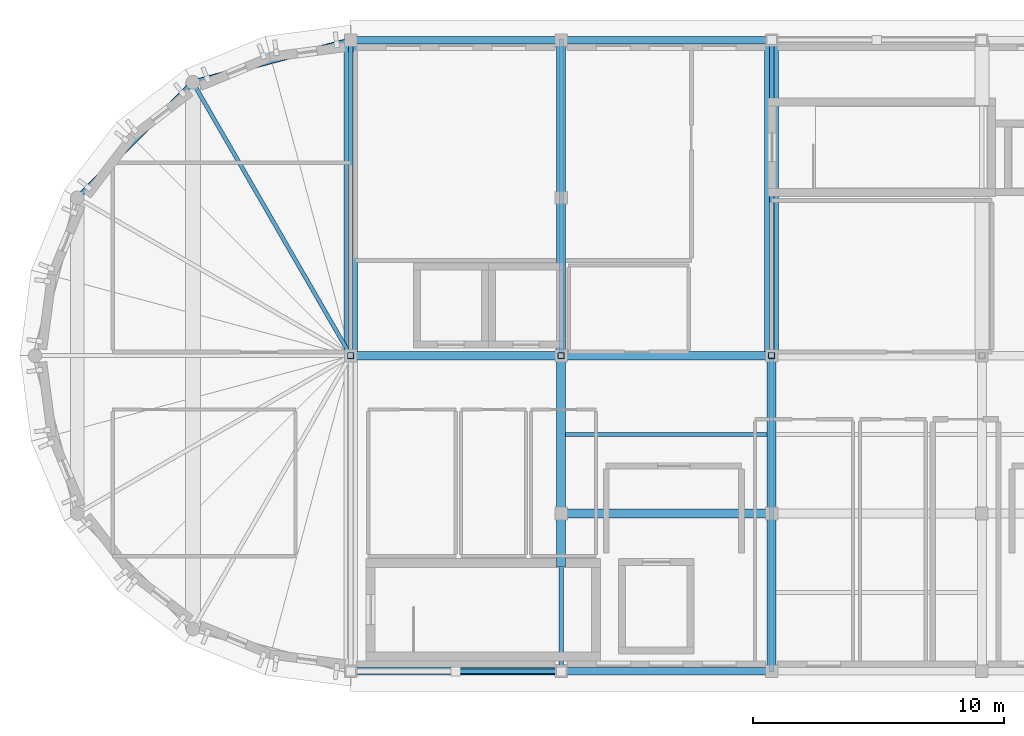
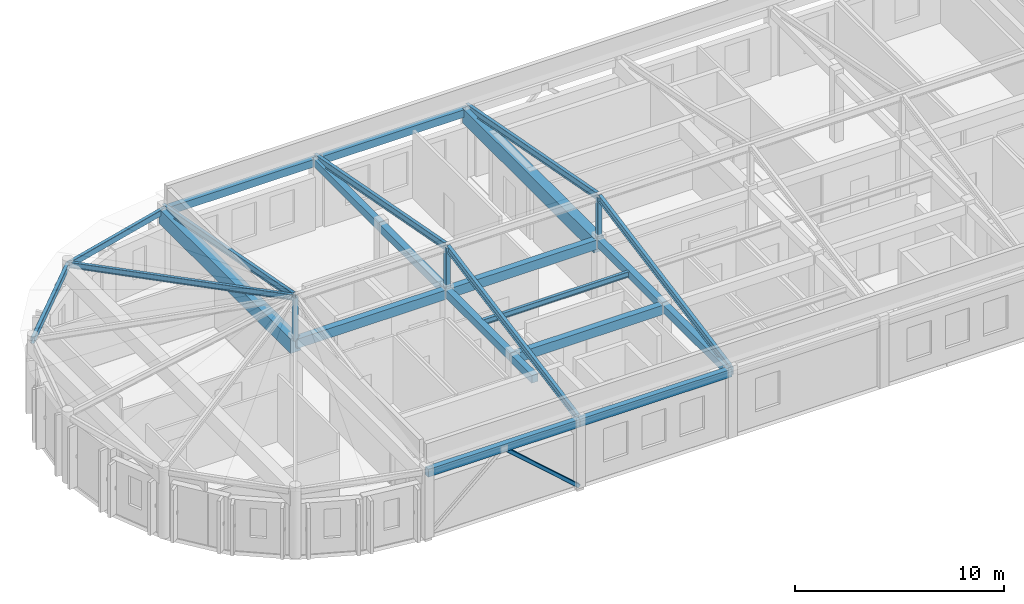
# One storey, part 2 of 11: 24 beams, 4 members.
"""IFC4 building model written with IfcOpenShell, lengths in metres."""

from ifc_helpers import new_model, si_unit, direction, frame, origin, origin_2d, place, context, subcontext, project, spatial, rectangle, hollow_rectangle, i_section, extrude, material, material_profile, profile_set, type_object, element, save


model = new_model("IFC4")

# Units and contexts
model_context = context("Model", 3, precision=1e-05, world=origin(), true_north=direction((0.0, 1.0)))
body_context = subcontext(model_context, "Body", "Model", "MODEL_VIEW")
ifc_project = project(units=[si_unit("LENGTHUNIT", "METRE"), si_unit("AREAUNIT", "SQUARE_METRE"), si_unit("VOLUMEUNIT", "CUBIC_METRE"), si_unit("PLANEANGLEUNIT", "RADIAN"), si_unit("MASSUNIT", "GRAM", prefix="KILO")], contexts=[model_context])

# Site, building, storey
site_placement = place(None, origin())
site = spatial("IfcSite", under=ifc_project, at=site_placement, CompositionType="ELEMENT")
building_placement = place(site_placement, origin())
building = spatial("IfcBuilding", under=site, at=building_placement, Name="Tarnavel Promenade Courthouse", CompositionType="ELEMENT")
storey_placement = place(building_placement, frame((0.0, 0.0, 35.39990234375)))
storey = spatial("IfcBuildingStorey", under=building, at=storey_placement, Name="L09", CompositionType="ELEMENT", Elevation=35.39990234375)

# Beams
ifc_material_1 = material(Name="Concrete C40/50", Category="concrete")
ifc_material_profile_1 = material_profile(ifc_material_1, rectangle(XDim=0.550048828125, YDim=0.85009765625, at=origin_2d()), Name="PT 550x850")
ifc_profile_set_1 = profile_set([ifc_material_profile_1], Name="Concrete C40/50")
beam_type_1 = type_object("IfcBeamType", Name="Concrete C40/50 BM-PT-550x850 (PT 550x850)", PredefinedType="T_BEAM", material=ifc_profile_set_1)
for number, where, z_axis, x_axis, name in (
    (1, (58.800048828125, 91.800048828125, 3.53515625), (0.0, 1.0, 0.0), (-1.0, 0.0, 0.0), "L09 Transverse Girder 2659"),
    (2, (75.60009765625, 91.800048828125, 3.53515625), (0.0, 1.0, 0.0), (-1.0, 0.0, 0.0), "L09 Transverse Girder 2666"),
):
    element("IfcBeam", number, at=place(storey_placement, frame(where, z_axis=z_axis, x_axis=x_axis)), inside=storey, type_object=beam_type_1, Name=name, PredefinedType="T_BEAM", context=body_context, shape_type="SweptSolid", body=[
        extrude(rectangle(XDim=0.550048828125, YDim=0.85009765625, at=origin_2d()), origin(), (0.0, 0.0, 1.0), 12.599853515625),
    ])
ifc_material_profile_2 = material_profile(ifc_material_1, rectangle(XDim=0.35009765625, YDim=0.449951171875, at=origin_2d()), Name="RC 350x450")
ifc_profile_set_2 = profile_set([ifc_material_profile_2], Name="Concrete C40/50")
beam_type_2 = type_object("IfcBeamType", Name="Concrete C40/50 BM-RC-350x450 (RC 350x450)", PredefinedType="BEAM", material=ifc_profile_set_2)
beam_1_placement = place(storey_placement, frame((67.199951171875, 83.3701171875, 3.735107421875), z_axis=(0.0, 1.0, 0.0), x_axis=(-1.0, 0.0, 0.0)))
element("IfcBeam", 3, at=beam_1_placement, inside=storey, type_object=beam_type_2, Name="L09 Transverse Girder 2660", PredefinedType="BEAM", context=body_context, shape_type="SweptSolid", body=[
    extrude(rectangle(XDim=0.35009765625, YDim=0.449951171875, at=origin_2d()), origin(), (0.0, 0.0, 1.0), 2.1298828125),
])
for number, where, z_axis, x_axis, name in (
    (4, (67.199951171875, 85.5, 3.735107421875), (0.0, 1.0, 0.0), (-1.0, 0.0, 0.0), "L09 Transverse Girder 2661"),
    (5, (67.199951171875, 91.800048828125, 3.735107421875), (0.0, 1.0, 0.0), (-1.0, 0.0, 0.0), "L09 Transverse Girder 2662"),
):
    element("IfcBeam", number, at=place(storey_placement, frame(where, z_axis=z_axis, x_axis=x_axis)), inside=storey, type_object=beam_type_2, Name=name, PredefinedType="BEAM", context=body_context, shape_type="SweptSolid", body=[
        extrude(rectangle(XDim=0.35009765625, YDim=0.449951171875, at=origin_2d()), origin(), (0.0, 0.0, 1.0), 6.300048828125),
    ])
beam_2_placement = place(storey_placement, frame((67.199951171875, 98.10009765625, 3.735107421875), z_axis=(0.0, 1.0, 0.0), x_axis=(-1.0, 0.0, 0.0)))
element("IfcBeam", 6, at=beam_2_placement, inside=storey, type_object=beam_type_2, Name="L09 Transverse Girder 2663", PredefinedType="BEAM", context=body_context, shape_type="SweptSolid", body=[
    extrude(rectangle(XDim=0.35009765625, YDim=0.449951171875, at=origin_2d()), origin(), (0.0, 0.0, 1.0), 6.2998046875),
])
for number, where, z_axis, x_axis, name in (
    (7, (75.60009765625, 79.199951171875, 3.735107421875), (0.0, 1.0, 0.0), (-1.0, 0.0, 0.0), "L09 Transverse Girder 2664"),
    (8, (75.60009765625, 85.5, 3.735107421875), (0.0, 1.0, 0.0), (-1.0, 0.0, 0.0), "L09 Transverse Girder 2665"),
):
    element("IfcBeam", number, at=place(storey_placement, frame(where, z_axis=z_axis, x_axis=x_axis)), inside=storey, type_object=beam_type_2, Name=name, PredefinedType="BEAM", context=body_context, shape_type="SweptSolid", body=[
        extrude(rectangle(XDim=0.35009765625, YDim=0.449951171875, at=origin_2d()), origin(), (0.0, 0.0, 1.0), 6.300048828125),
    ])
ifc_material_profile_3 = material_profile(ifc_material_1, rectangle(XDim=0.35009765625, YDim=0.550048828125, at=origin_2d()), Name="RC 350x550")
ifc_profile_set_3 = profile_set([ifc_material_profile_3], Name="Concrete C40/50")
beam_type_3 = type_object("IfcBeamType", Name="Concrete C40/50 BM-RC-350x550 (RC 350x550)", PredefinedType="BEAM", material=ifc_profile_set_3)
beam_3_placement = place(storey_placement, frame((67.199951171875, 85.5, 3.68505859375), z_axis=(1.0, 0.0, 0.0), x_axis=(0.0, 1.0, 0.0)))
element("IfcBeam", 9, at=beam_3_placement, inside=storey, type_object=beam_type_3, Name="L09 Primary Longitudinal Beam 2642", PredefinedType="BEAM", context=body_context, shape_type="SweptSolid", body=[
    extrude(rectangle(XDim=0.35009765625, YDim=0.550048828125, at=origin_2d()), origin(), (0.0, 0.0, 1.0), 8.400146484375),
])
beam_4_placement = place(storey_placement, frame((58.800048828125, 91.800048828125, 3.68505859375), z_axis=(1.0, 0.0, 0.0), x_axis=(0.0, 1.0, 0.0)))
element("IfcBeam", 10, at=beam_4_placement, inside=storey, type_object=beam_type_3, Name="L09 Primary Longitudinal Beam 2645", PredefinedType="BEAM", context=body_context, shape_type="SweptSolid", body=[
    extrude(rectangle(XDim=0.35009765625, YDim=0.550048828125, at=origin_2d()), origin(), (0.0, 0.0, 1.0), 8.39990234375),
])
beam_5_placement = place(storey_placement, frame((67.199951171875, 91.800048828125, 3.68505859375), z_axis=(1.0, 0.0, 0.0), x_axis=(0.0, 1.0, 0.0)))
element("IfcBeam", 11, at=beam_5_placement, inside=storey, type_object=beam_type_3, Name="L09 Primary Longitudinal Beam 2646", PredefinedType="BEAM", context=body_context, shape_type="SweptSolid", body=[
    extrude(rectangle(XDim=0.35009765625, YDim=0.550048828125, at=origin_2d()), origin(), (0.0, 0.0, 1.0), 8.400146484375),
])
ifc_material_profile_4 = material_profile(ifc_material_1, rectangle(XDim=0.300048828125, YDim=0.449951171875, at=origin_2d()), Name="RC 300x450")
ifc_profile_set_4 = profile_set([ifc_material_profile_4], Name="Concrete C40/50")
beam_type_4 = type_object("IfcBeamType", Name="Concrete C40/50 BM-SP-300x450 (RC 300x450)", PredefinedType="SPANDREL", material=ifc_profile_set_4)
beam_6_placement = place(storey_placement, frame((58.800048828125, 79.199951171875, 3.735107421875), z_axis=(1.0, 0.0, 0.0), x_axis=(0.0, 1.0, 0.0)))
element("IfcBeam", 12, at=beam_6_placement, inside=storey, type_object=beam_type_4, Name="L09 Primary Longitudinal Beam 2637", PredefinedType="SPANDREL", context=body_context, shape_type="SweptSolid", body=[
    extrude(rectangle(XDim=0.300048828125, YDim=0.449951171875, at=origin_2d()), origin(), (0.0, 0.0, 1.0), 8.39990234375),
])
beam_7_placement = place(storey_placement, frame((67.199951171875, 79.199951171875, 3.735107421875), z_axis=(1.0, 0.0, 0.0), x_axis=(0.0, 1.0, 0.0)))
element("IfcBeam", 13, at=beam_7_placement, inside=storey, type_object=beam_type_4, Name="L09 Primary Longitudinal Beam 2638", PredefinedType="SPANDREL", context=body_context, shape_type="SweptSolid", body=[
    extrude(rectangle(XDim=0.300048828125, YDim=0.449951171875, at=origin_2d()), origin(), (0.0, 0.0, 1.0), 8.400146484375),
])
beam_8_placement = place(storey_placement, frame((58.800048828125, 104.39990234375, 3.735107421875), z_axis=(1.0, 0.0, 0.0), x_axis=(0.0, 1.0, 0.0)))
element("IfcBeam", 14, at=beam_8_placement, inside=storey, type_object=beam_type_4, Name="L09 Primary Longitudinal Beam 2651", PredefinedType="SPANDREL", context=body_context, shape_type="SweptSolid", body=[
    extrude(rectangle(XDim=0.300048828125, YDim=0.449951171875, at=origin_2d()), origin(), (0.0, 0.0, 1.0), 8.39990234375),
])
beam_9_placement = place(storey_placement, frame((67.199951171875, 104.39990234375, 3.735107421875), z_axis=(1.0, 0.0, 0.0), x_axis=(0.0, 1.0, 0.0)))
element("IfcBeam", 15, at=beam_9_placement, inside=storey, type_object=beam_type_4, Name="L09 Primary Longitudinal Beam 2652", PredefinedType="SPANDREL", context=body_context, shape_type="SweptSolid", body=[
    extrude(rectangle(XDim=0.300048828125, YDim=0.449951171875, at=origin_2d()), origin(), (0.0, 0.0, 1.0), 8.400146484375),
])
ifc_material_2 = material(Name="Steel S355J2", Category="steel")
ifc_material_profile_5 = material_profile(ifc_material_2, i_section(OverallWidth=0.159912109375, OverallDepth=0.330078125, WebThickness=0.007568359375, FlangeThickness=0.011474609375, FilletRadius=0.01806640625, at=origin_2d()), Name="IPE 330")
ifc_profile_set_5 = profile_set([ifc_material_profile_5], Name="Steel S355J2")
beam_type_5 = type_object("IfcBeamType", Name="Steel S355J2 BM-ST-IPE330 (IPE 330)", PredefinedType="JOIST", material=ifc_profile_set_5)
beam_10_placement = place(storey_placement, frame((67.344970703125, 88.64990234375, 3.795166015625), z_axis=(1.0, 0.0, 0.0), x_axis=(0.0, 1.0, 0.0)))
element("IfcBeam", 16, at=beam_10_placement, inside=storey, type_object=beam_type_5, Name="L09 Secondary Floor Rib 2679", PredefinedType="JOIST", context=body_context, shape_type="SweptSolid", body=[
    extrude(i_section(OverallWidth=0.159912109375, OverallDepth=0.330078125, WebThickness=0.007568359375, FlangeThickness=0.011474609375, FilletRadius=0.01806640625, at=origin_2d()), origin(), (0.0, 0.0, 1.0), 8.110107421875),
])
beam_11_placement = place(storey_placement, frame((52.5, 102.7119140625, 3.85009765625), z_axis=(0.490666083691, -0.849847727594, 0.192368485514), x_axis=(0.866022637375, 0.500004791531, 0.0)))
element("IfcBeam", 17, at=beam_11_placement, inside=storey, type_object=beam_type_5, Name="L09 W Drum Radial Roof Rafter 03", PredefinedType="JOIST", context=body_context, shape_type="SweptSolid", body=[
    extrude(i_section(OverallWidth=0.159912109375, OverallDepth=0.330078125, WebThickness=0.007568359375, FlangeThickness=0.011474609375, FilletRadius=0.01806640625, at=origin_2d()), origin(), (0.0, 0.0, 1.0), 12.83984375),
])
ifc_material_profile_6 = material_profile(ifc_material_2, i_section(OverallWidth=0.179931640625, OverallDepth=0.39990234375, WebThickness=0.008544921875, FlangeThickness=0.013427734375, FilletRadius=0.02099609375, at=origin_2d()), Name="IPE 400")
ifc_profile_set_6 = profile_set([ifc_material_profile_6], Name="Steel S355J2")
beam_type_6 = type_object("IfcBeamType", Name="Steel S355J2 BM-ST-IPE400 (IPE 400)", PredefinedType="BEAM", material=ifc_profile_set_6)
beam_12_placement = place(storey_placement, frame((58.800048828125, 91.89501953125, 6.320068359375), z_axis=(0.0, 0.982511581608, -0.186201482286), x_axis=(-1.0, 0.0, 0.0)))
element("IfcBeam", 18, at=beam_12_placement, inside=storey, type_object=beam_type_6, Name="L09 Bar Roof Rafter N", PredefinedType="BEAM", context=body_context, shape_type="SweptSolid", body=[
    extrude(i_section(OverallWidth=0.179931640625, OverallDepth=0.39990234375, WebThickness=0.008544921875, FlangeThickness=0.013427734375, FilletRadius=0.02099609375, at=origin_2d()), origin(), (0.0, 0.0, 1.0), 12.7275390625),
])
beam_13_placement = place(storey_placement, frame((67.199951171875, 79.199951171875, 3.9501953125), z_axis=(0.0, 0.982512246655, 0.186197973063), x_axis=(-1.0, 0.0, 0.0)))
element("IfcBeam", 19, at=beam_13_placement, inside=storey, type_object=beam_type_6, Name="L09 Bar Roof Rafter S", PredefinedType="BEAM", context=body_context, shape_type="SweptSolid", body=[
    extrude(i_section(OverallWidth=0.179931640625, OverallDepth=0.39990234375, WebThickness=0.008544921875, FlangeThickness=0.013427734375, FilletRadius=0.02099609375, at=origin_2d()), origin(), (0.0, 0.0, 1.0), 12.727783203125),
])
beam_14_placement = place(storey_placement, frame((67.199951171875, 91.89501953125, 6.320068359375), z_axis=(0.0, 0.982511581608, -0.186201482286), x_axis=(-1.0, 0.0, 0.0)))
element("IfcBeam", 20, at=beam_14_placement, inside=storey, type_object=beam_type_6, Name="L09 Bar Roof Rafter N", PredefinedType="BEAM", context=body_context, shape_type="SweptSolid", body=[
    extrude(i_section(OverallWidth=0.179931640625, OverallDepth=0.39990234375, WebThickness=0.008544921875, FlangeThickness=0.013427734375, FilletRadius=0.02099609375, at=origin_2d()), origin(), (0.0, 0.0, 1.0), 12.7275390625),
])
beam_15_placement = place(storey_placement, frame((75.60009765625, 79.199951171875, 3.9501953125), z_axis=(0.0, 0.982512246655, 0.186197973063), x_axis=(-1.0, 0.0, 0.0)))
element("IfcBeam", 21, at=beam_15_placement, inside=storey, type_object=beam_type_6, Name="L09 Bar Roof Rafter S", PredefinedType="BEAM", context=body_context, shape_type="SweptSolid", body=[
    extrude(i_section(OverallWidth=0.179931640625, OverallDepth=0.39990234375, WebThickness=0.008544921875, FlangeThickness=0.013427734375, FilletRadius=0.02099609375, at=origin_2d()), origin(), (0.0, 0.0, 1.0), 12.727783203125),
])
beam_16_placement = place(storey_placement, frame((75.60009765625, 91.89501953125, 6.320068359375), z_axis=(0.0, 0.982511581608, -0.186201482286), x_axis=(-1.0, 0.0, 0.0)))
element("IfcBeam", 22, at=beam_16_placement, inside=storey, type_object=beam_type_6, Name="L09 Bar Roof Rafter N", PredefinedType="BEAM", context=body_context, shape_type="SweptSolid", body=[
    extrude(i_section(OverallWidth=0.179931640625, OverallDepth=0.39990234375, WebThickness=0.008544921875, FlangeThickness=0.013427734375, FilletRadius=0.02099609375, at=origin_2d()), origin(), (0.0, 0.0, 1.0), 12.7275390625),
])
ifc_material_profile_7 = material_profile(ifc_material_2, hollow_rectangle(XDim=0.199951171875, YDim=0.35009765625, WallThickness=0.012451171875, InnerFilletRadius=0.012451171875, OuterFilletRadius=0.02490234375, at=origin_2d()), Name="RHS 350x200x12.5")
ifc_profile_set_7 = profile_set([ifc_material_profile_7], Name="Steel S355J2")
beam_type_7 = type_object("IfcBeamType", Name="Steel S355J2 BM-ST-RHS350 (RHS 350x200x12.5)", PredefinedType="SPANDREL", material=ifc_profile_set_7)
beam_17_placement = place(storey_placement, frame((58.800048828125, 104.39990234375, 3.78515625), z_axis=(-0.965929839907, -0.258804065612, 0.0), x_axis=(0.258804065612, -0.965929839907, 0.0)))
element("IfcBeam", 23, at=beam_17_placement, inside=storey, type_object=beam_type_7, Name="L09 Drum Ring Spandrel 2683", PredefinedType="SPANDREL", context=body_context, shape_type="SweptSolid", body=[
    extrude(hollow_rectangle(XDim=0.199951171875, YDim=0.35009765625, WallThickness=0.012451171875, InnerFilletRadius=0.012451171875, OuterFilletRadius=0.02490234375, at=origin_2d()), origin(), (0.0, 0.0, 1.0), 6.522216796875),
])
beam_18_placement = place(storey_placement, frame((52.5, 102.7119140625, 3.78515625), z_axis=(-0.707106781187, -0.707106781187, 0.0), x_axis=(0.707106781187, -0.707106781187, 0.0)))
element("IfcBeam", 24, at=beam_18_placement, inside=storey, type_object=beam_type_7, Name="L09 Drum Ring Spandrel 2684", PredefinedType="SPANDREL", context=body_context, shape_type="SweptSolid", body=[
    extrude(hollow_rectangle(XDim=0.199951171875, YDim=0.35009765625, WallThickness=0.012451171875, InnerFilletRadius=0.012451171875, OuterFilletRadius=0.02490234375, at=origin_2d()), origin(), (0.0, 0.0, 1.0), 6.52197265625),
])

# Members
ifc_material_profile_8 = material_profile(ifc_material_2, hollow_rectangle(XDim=0.199951171875, YDim=0.199951171875, WallThickness=0.012451171875, InnerFilletRadius=0.012451171875, OuterFilletRadius=0.02490234375, at=origin_2d()), Name="SHS 200x200x12.5")
ifc_profile_set_8 = profile_set([ifc_material_profile_8], Name="Steel S355J2")
member_type_1 = type_object("IfcMemberType", Name="Steel S355J2 MEM-BR-SHS200 (SHS 200x200x12.5)", PredefinedType="BRACE", material=ifc_profile_set_8)
member_placement = place(storey_placement, frame((67.199951171875, 79.199951171875, 0.0), z_axis=(-0.749451235067, 0.0, 0.662059548876), x_axis=(0.0, -1.0, 0.0)))
element("IfcMember", 25, at=member_placement, inside=storey, type_object=member_type_1, Name="L09 V5 Chevron Brace B 010", PredefinedType="BRACE", context=body_context, shape_type="SweptSolid", body=[
    extrude(hollow_rectangle(XDim=0.199951171875, YDim=0.199951171875, WallThickness=0.012451171875, InnerFilletRadius=0.012451171875, OuterFilletRadius=0.02490234375, at=origin_2d()), origin(), (0.0, 0.0, 1.0), 5.60400390625),
])
ifc_material_profile_9 = material_profile(ifc_material_2, hollow_rectangle(XDim=0.25, YDim=0.25, WallThickness=0.012451171875, InnerFilletRadius=0.012451171875, OuterFilletRadius=0.02490234375, at=origin_2d()), Name="SHS 250x250x12.5")
ifc_profile_set_9 = profile_set([ifc_material_profile_9], Name="Steel S355J2")
member_type_2 = type_object("IfcMemberType", Name="Steel S355J2 MEM-STR-SHS250 (SHS 250x250x12.5)", PredefinedType="STRUT", material=ifc_profile_set_9)
for number, where, z_axis, x_axis, name in (
    (26, (58.800048828125, 91.800048828125, 3.85009765625), (0.0, 0.0, 1.0), (1.0, 0.0, 0.0), "L09 Bar Ridge King-Post"),
    (27, (67.199951171875, 91.800048828125, 3.85009765625), (0.0, 0.0, 1.0), (1.0, 0.0, 0.0), "L09 Bar Ridge King-Post"),
    (28, (75.60009765625, 91.800048828125, 3.85009765625), (0.0, 0.0, 1.0), (1.0, 0.0, 0.0), "L09 Bar Ridge King-Post"),
):
    element("IfcMember", number, at=place(storey_placement, frame(where, z_axis=z_axis, x_axis=x_axis)), inside=storey, type_object=member_type_2, Name=name, PredefinedType="STRUT", context=body_context, shape_type="SweptSolid", body=[
        extrude(hollow_rectangle(XDim=0.25, YDim=0.25, WallThickness=0.012451171875, InnerFilletRadius=0.012451171875, OuterFilletRadius=0.02490234375, at=origin_2d()), origin(), (0.0, 0.0, 1.0), 2.510009765625),
    ])

save(model, "model.ifc")
